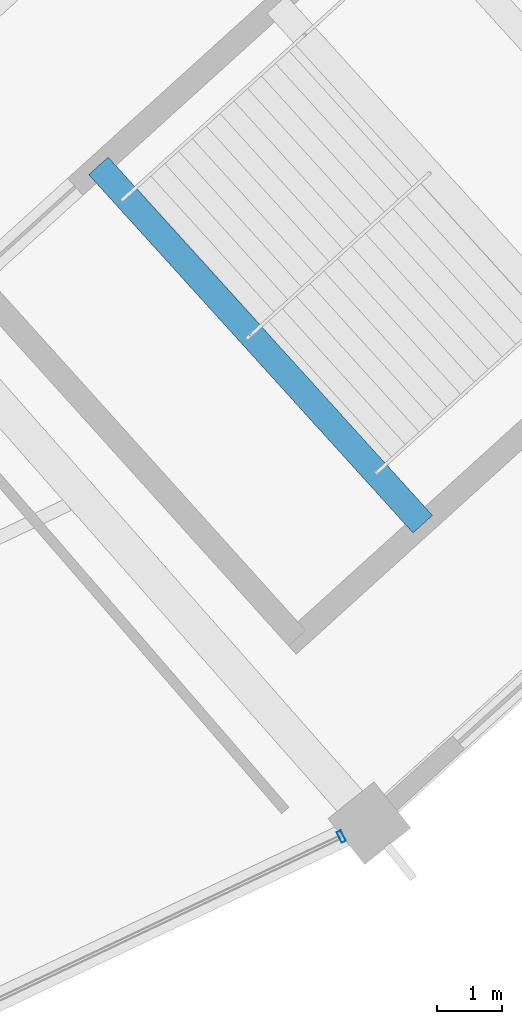
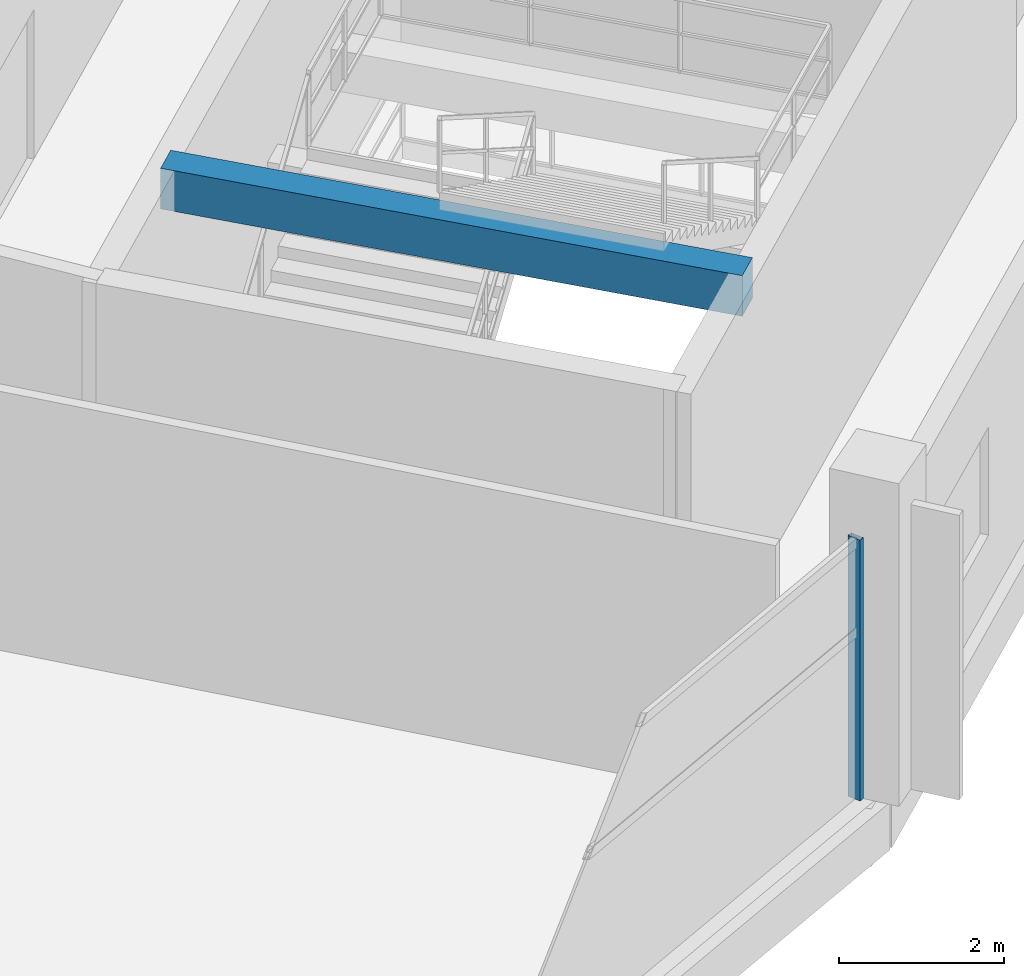
# One storey, part 47 of 156: 1 beam, 1 member, 1 element without a shape of its own.
"""IFC4 building model written with IfcOpenShell, lengths in metres."""

from ifc_helpers import new_model, si_unit, direction, frame, origin, origin_2d, place, context, subcontext, project, spatial, rectangle, hollow_rectangle, extrude, material, layer, layer_set, material_profile, profile_set, type_object, element, aggregate, save


model = new_model("IFC4")

# Units and contexts
model_context = context("Model", 3, precision=1e-05, world=origin(), true_north=direction((0.0, 1.0)))
body_context = subcontext(model_context, "Body", "Model", "MODEL_VIEW")
ifc_project = project(units=[si_unit("LENGTHUNIT", "METRE"), si_unit("AREAUNIT", "SQUARE_METRE"), si_unit("VOLUMEUNIT", "CUBIC_METRE"), si_unit("PLANEANGLEUNIT", "RADIAN"), si_unit("MASSUNIT", "GRAM", prefix="KILO")], contexts=[model_context])

# Site, building, storey
site_placement = place(None, origin())
site = spatial("IfcSite", under=ifc_project, at=site_placement, CompositionType="ELEMENT")
building_placement = place(site_placement, origin())
building = spatial("IfcBuilding", under=site, at=building_placement, Name="Kazemori Nagisa Stadium", CompositionType="ELEMENT")
storey_placement = place(building_placement, frame((0.0, 0.0, 5.780029296875)))
storey = spatial("IfcBuildingStorey", under=building, at=storey_placement, Name="L01", CompositionType="ELEMENT", Elevation=5.780029296875)

# Beam
ifc_material_1 = material(Name="Concrete C40/50 (Fc42)", Category="concrete")
ifc_material_profile_1 = material_profile(ifc_material_1, rectangle(XDim=0.39990234375, YDim=0.60009765625, at=origin_2d()), Name="RC-BM-400x600")
ifc_profile_set_1 = profile_set([ifc_material_profile_1], Name="Concrete C40/50 (Fc42)")
beam_type = type_object("IfcBeamType", Name="Beam_BG-LND400X600", PredefinedType="BEAM", material=ifc_profile_set_1)
beam_placement = place(storey_placement, frame((181.456787109375, 40.98681640625, 4.199951171875), z_axis=(0.671113236271, -0.74135485707, 0.0), x_axis=(0.74135485707, 0.671113236271, 0.0)))
element("IfcBeam", 1, at=beam_placement, inside=storey, type_object=beam_type, Name="Core stair arrival header girder ST04-L01", PredefinedType="BEAM", context=body_context, shape_type="SweptSolid", body=[
    extrude(rectangle(XDim=0.39990234375, YDim=0.60009765625, at=origin_2d()), origin(), (0.0, 0.0, 1.0), 7.385986328125),
])

# Curtain wall, member
ifc_material_2 = material(Name="Anodised aluminium 6063-T5", Category="aluminium")
ifc_layer = layer(ifc_material_2, 0.179931640625, Name="Anodised aluminium 6063-T5", Category="aluminium")
ifc_layer_set = layer_set([ifc_layer], Name="Anodised aluminium 6063-T5")
curtain_wall_type = type_object("IfcCurtainWallType", Name="CW_L01R3_105", PredefinedType="USERDEFINED", material=ifc_layer_set)
curtain_wall_placement = place(storey_placement, origin())
curtain_wall = element("IfcCurtainWall", 2, at=curtain_wall_placement, inside=storey, type_object=curtain_wall_type, Name="Unitised curtain wall CW-L01R3-105 L01", ObjectType="UNITISED CURTAIN WALL", PredefinedType="USERDEFINED")
ifc_material_3 = material(Name="Aluminium 6063-T5 anodised", Category="aluminium")
ifc_material_profile_2 = material_profile(ifc_material_3, hollow_rectangle(XDim=0.070068359375, YDim=0.179931640625, WallThickness=0.00390625, at=origin_2d()), Name="ALU-MULL-70x180x4")
ifc_profile_set_2 = profile_set([ifc_material_profile_2], Name="Aluminium 6063-T5 anodised")
member_type = type_object("IfcMemberType", Name="Mullion_M01", PredefinedType="MULLION", material=ifc_profile_set_2)
member_placement = place(storey_placement, frame((185.1689453125, 30.737060546875, 0.0), z_axis=(0.0, 0.0, 1.0), x_axis=(0.903215892654, 0.429186499388, 0.0)))
member = element("IfcMember", 3, at=member_placement, type_object=member_type, Name="Curtain wall mullion CW-L01R3-105-M4", PredefinedType="MULLION", context=body_context, shape_type="SweptSolid", body=[
    extrude(hollow_rectangle(XDim=0.070068359375, YDim=0.179931640625, WallThickness=0.00390625, at=origin_2d()), origin(), (0.0, 0.0, 1.0), 3.849853515625),
])
aggregate(curtain_wall, [member])

save(model, "model.ifc")
